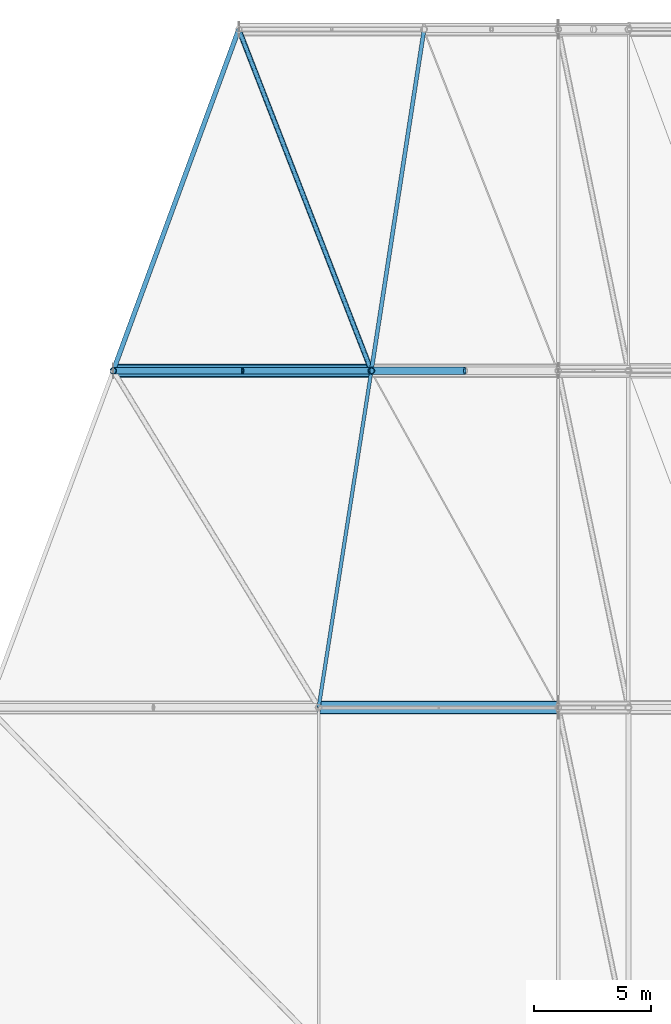
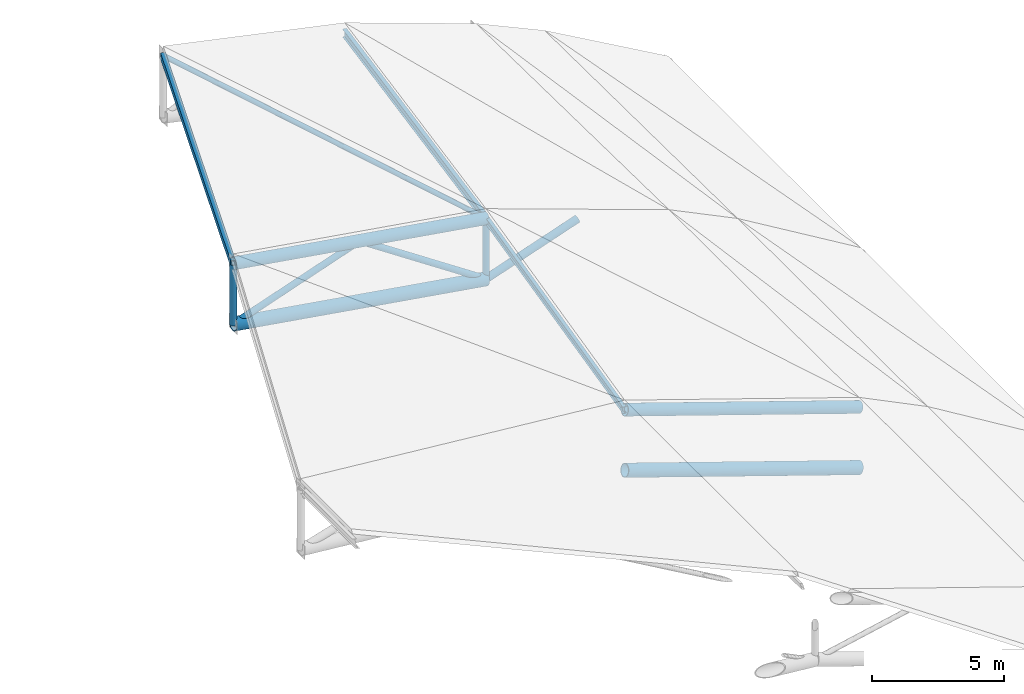
# One storey, part 21 of 36: 13 members.
"""IFC4 building model written with IfcOpenShell, lengths in metres."""

from ifc_helpers import new_model, si_unit, direction, frame, origin, origin_2d, place, context, subcontext, project, spatial, hollow_rectangle, hollow_circle, i_section, extrude, material, material_profile, profile_set, type_object, element, save


model = new_model("IFC4")

# Units and contexts
model_context = context("Model", 3, precision=1e-05, world=origin(), true_north=direction((0.0, 1.0)))
body_context = subcontext(model_context, "Body", "Model", "MODEL_VIEW")
ifc_project = project(units=[si_unit("LENGTHUNIT", "METRE"), si_unit("AREAUNIT", "SQUARE_METRE"), si_unit("VOLUMEUNIT", "CUBIC_METRE"), si_unit("PLANEANGLEUNIT", "RADIAN"), si_unit("MASSUNIT", "GRAM", prefix="KILO")], contexts=[model_context])

# Site, building, storey
site_placement = place(None, origin())
site = spatial("IfcSite", under=ifc_project, at=site_placement, CompositionType="ELEMENT")
building_placement = place(site_placement, origin())
building = spatial("IfcBuilding", under=site, at=building_placement, Name="Koshinbarg Plaza Stadium", CompositionType="ELEMENT")
storey_placement = place(building_placement, frame((0.0, 0.0, 34.199951171875)))
storey = spatial("IfcBuildingStorey", under=building, at=storey_placement, Name="RF", CompositionType="ELEMENT", Elevation=34.199951171875)

# Members
ifc_material = material(Name="Steel S355", Category="steel")
ifc_material_profile_1 = material_profile(ifc_material, hollow_circle(Radius=0.279541015625, WallThickness=0.022216796875, at=origin_2d()), Name="CHS 559x22.2")
ifc_profile_set_1 = profile_set([ifc_material_profile_1], Name="Steel S355")
member_type_1 = type_object("IfcMemberType", Name="MB-ARCH-BOT", PredefinedType="CHORD", material=ifc_profile_set_1)
member_1_placement = place(storey_placement, frame((189.39990234375, 97.5, -0.0400390625), z_axis=(-0.947427718422, 0.0, 0.319969871027), x_axis=(0.0, -1.0, 0.0)))
element("IfcMember", 1, at=member_1_placement, inside=storey, type_object=member_type_1, Name="Quarter-barrel roof truss bottom chord ERB-06-3", PredefinedType="CHORD", context=body_context, shape_type="SweptSolid", body=[
    extrude(hollow_circle(Radius=0.279541015625, WallThickness=0.022216796875, at=origin_2d()), origin(), (0.0, 0.0, 1.0), 10.81640625),
])
member_2_placement = place(storey_placement, frame((181.406494140625, 111.89990234375, 2.7421875), z_axis=(-0.987287695583, 0.0, 0.158943405497), x_axis=(0.0, -1.0, 0.0)))
element("IfcMember", 2, at=member_2_placement, inside=storey, type_object=member_type_1, Name="Quarter-barrel roof truss bottom chord ERB-07-4", PredefinedType="CHORD", context=body_context, shape_type="SweptSolid", body=[
    extrude(hollow_circle(Radius=0.279541015625, WallThickness=0.022216796875, at=origin_2d()), origin(), (0.0, 0.0, 1.0), 11.1806640625),
])
ifc_material_profile_2 = material_profile(ifc_material, hollow_circle(Radius=0.25390625, WallThickness=0.02001953125, at=origin_2d()), Name="CHS 508x20")
ifc_profile_set_2 = profile_set([ifc_material_profile_2], Name="Steel S355")
member_type_2 = type_object("IfcMemberType", Name="MB-ARCH-TOP", PredefinedType="CHORD", material=ifc_profile_set_2)
member_3_placement = place(storey_placement, frame((189.39990234375, 97.5, 2.760009765625), z_axis=(-0.947427718422, 0.0, 0.319969871027), x_axis=(0.0, -1.0, 0.0)))
element("IfcMember", 3, at=member_3_placement, inside=storey, type_object=member_type_2, Name="Quarter-barrel roof truss top chord ERB-06-3", PredefinedType="CHORD", context=body_context, shape_type="SweptSolid", body=[
    extrude(hollow_circle(Radius=0.25390625, WallThickness=0.02001953125, at=origin_2d()), origin(), (0.0, 0.0, 1.0), 10.81640625),
])
member_4_placement = place(storey_placement, frame((181.406494140625, 111.89990234375, 5.542236328125), z_axis=(-0.987287695583, 0.0, 0.158943405497), x_axis=(0.0, -1.0, 0.0)))
element("IfcMember", 4, at=member_4_placement, inside=storey, type_object=member_type_2, Name="Quarter-barrel roof truss top chord ERB-07-4", PredefinedType="CHORD", context=body_context, shape_type="SweptSolid", body=[
    extrude(hollow_circle(Radius=0.25390625, WallThickness=0.02001953125, at=origin_2d()), origin(), (0.0, 0.0, 1.0), 11.1806640625),
])
ifc_material_profile_3 = material_profile(ifc_material, hollow_circle(Radius=0.161865234375, WallThickness=0.01416015625, at=origin_2d()), Name="CHS 323.9x14.2")
ifc_profile_set_3 = profile_set([ifc_material_profile_3], Name="Steel S355")
member_type_3 = type_object("IfcMemberType", Name="MB-BRACE-01", PredefinedType="BRACE", material=ifc_profile_set_3)
member_5_placement = place(storey_placement, frame((185.4033203125, 111.89990234375, 4.11962890625), z_axis=(-0.945429428908, 0.0, -0.325826940193), x_axis=(0.0, -1.0, 0.0)))
element("IfcMember", 5, at=member_5_placement, inside=storey, type_object=member_type_3, Name="Quarter-barrel roof truss web diagonal ERB-07-3B", PredefinedType="BRACE", context=body_context, shape_type="SweptSolid", body=[
    extrude(hollow_circle(Radius=0.161865234375, WallThickness=0.01416015625, at=origin_2d()), origin(), (0.0, 0.0, 1.0), 4.2275390625),
])
ifc_material_profile_4 = material_profile(ifc_material, hollow_circle(Radius=0.136474609375, WallThickness=0.012451171875, at=origin_2d()), Name="CHS 273x12.5")
ifc_profile_set_4 = profile_set([ifc_material_profile_4], Name="Steel S355")
member_type_4 = type_object("IfcMemberType", Name="MB-BRACE-02", PredefinedType="BRACE", material=ifc_profile_set_4)
member_6_placement = place(storey_placement, frame((181.406494140625, 111.89990234375, 2.7421875), z_axis=(-0.831427383293, 0.0, 0.555633428), x_axis=(0.0, -1.0, 0.0)))
element("IfcMember", 6, at=member_6_placement, inside=storey, type_object=member_type_4, Name="Quarter-barrel roof truss web diagonal ERB-07-4A", PredefinedType="BRACE", context=body_context, shape_type="SweptSolid", body=[
    extrude(hollow_circle(Radius=0.136474609375, WallThickness=0.012451171875, at=origin_2d()), origin(), (0.0, 0.0, 1.0), 6.638427734375),
])
member_7_placement = place(storey_placement, frame((175.88720703125, 111.89990234375, 6.4306640625), z_axis=(-0.944940842416, 0.0, -0.327241202073), x_axis=(0.0, -1.0, 0.0)))
element("IfcMember", 7, at=member_7_placement, inside=storey, type_object=member_type_4, Name="Quarter-barrel roof truss web diagonal ERB-07-4B", PredefinedType="BRACE", context=body_context, shape_type="SweptSolid", body=[
    extrude(hollow_circle(Radius=0.136474609375, WallThickness=0.012451171875, at=origin_2d()), origin(), (0.0, 0.0, 1.0), 5.8408203125),
])
for number, where, z_axis, x_axis, name in (
    (8, (181.406494140625, 111.89990234375, 2.7421875), (0.0, 0.0, 1.0), (1.0, 0.0, 0.0), "Quarter-barrel roof truss post ERB-07-4"),
    (9, (170.367919921875, 111.89990234375, 4.519287109375), (0.0, 0.0, 1.0), (1.0, 0.0, 0.0), "Quarter-barrel roof truss post ERB-07-5"),
):
    element("IfcMember", number, at=place(storey_placement, frame(where, z_axis=z_axis, x_axis=x_axis)), inside=storey, type_object=member_type_4, Name=name, PredefinedType="BRACE", context=body_context, shape_type="SweptSolid", body=[
        extrude(hollow_circle(Radius=0.136474609375, WallThickness=0.012451171875, at=origin_2d()), origin(), (0.0, 0.0, 1.0), 2.800048828125),
    ])
ifc_material_profile_5 = material_profile(ifc_material, hollow_circle(Radius=0.109619140625, WallThickness=0.010009765625, at=origin_2d()), Name="CHS 219.1x10")
ifc_profile_set_5 = profile_set([ifc_material_profile_5], Name="Steel S355")
member_type_5 = type_object("IfcMemberType", Name="MB-BRACE-03", PredefinedType="BRACE", material=ifc_profile_set_5)
member_8_placement = place(storey_placement, frame((181.406494140625, 111.89990234375, 5.542236328125), z_axis=(-0.361729138383, 0.931375438456, 0.04113177708), x_axis=(-0.932164300793, -0.362035518047, 0.0)))
element("IfcMember", 10, at=member_8_placement, inside=storey, type_object=member_type_5, Name="Roof plan wind brace east bay 7.4", PredefinedType="BRACE", context=body_context, shape_type="SweptSolid", body=[
    extrude(hollow_circle(Radius=0.109619140625, WallThickness=0.010009765625, at=origin_2d()), origin(), (0.0, 0.0, 1.0), 15.67578125),
])
ifc_material_profile_6 = material_profile(ifc_material, hollow_rectangle(XDim=0.199951171875, YDim=0.300048828125, WallThickness=0.012451171875, at=origin_2d()), Name="RHS 300x200x12.5")
ifc_profile_set_6 = profile_set([ifc_material_profile_6], Name="Steel S355")
member_type_6 = type_object("IfcMemberType", Name="MB-PURL-01", PredefinedType="PURLIN", material=ifc_profile_set_6)
member_9_placement = place(storey_placement, frame((170.367919921875, 111.89990234375, 7.29931640625), z_axis=(0.344182250246, 0.936091819594, -0.072599475925), x_axis=(-0.938568536443, 0.345092889524, 0.0)))
element("IfcMember", 11, at=member_9_placement, inside=storey, type_object=member_type_6, Name="Roof longitudinal purlin east bay 7.5", PredefinedType="PURLIN", context=body_context, shape_type="SweptSolid", body=[
    extrude(hollow_rectangle(XDim=0.199951171875, YDim=0.300048828125, WallThickness=0.012451171875, at=origin_2d()), origin(), (0.0, 0.0, 1.0), 15.596923828125),
])
ifc_material_profile_7 = material_profile(ifc_material, i_section(OverallWidth=0.14990234375, OverallDepth=0.300048828125, WebThickness=0.007080078125, FlangeThickness=0.0107421875, at=origin_2d()), Name="IPE 300")
ifc_profile_set_7 = profile_set([ifc_material_profile_7], Name="Steel S355")
member_type_7 = type_object("IfcMemberType", Name="MB-PURL-04", PredefinedType="PURLIN", material=ifc_profile_set_7)
member_10_placement = place(storey_placement, frame((179.152099609375, 97.5, 6.200927734375), z_axis=(0.154504793588, 0.986896440913, -0.046515413274), x_axis=(-0.987965842469, 0.154672215072, 0.0)))
element("IfcMember", 12, at=member_10_placement, inside=storey, type_object=member_type_7, Name="Roof longitudinal purlin east bay 6.4", PredefinedType="PURLIN", context=body_context, shape_type="SweptSolid", body=[
    extrude(i_section(OverallWidth=0.14990234375, OverallDepth=0.300048828125, WebThickness=0.007080078125, FlangeThickness=0.0107421875, at=origin_2d()), origin(), (0.0, 0.0, 1.0), 14.591064453125),
])
ifc_material_profile_8 = material_profile(ifc_material, i_section(OverallWidth=0.169921875, OverallDepth=0.360107421875, WebThickness=0.008056640625, FlangeThickness=0.0126953125, at=origin_2d()), Name="IPE 360")
ifc_profile_set_8 = profile_set([ifc_material_profile_8], Name="Steel S355")
member_type_8 = type_object("IfcMemberType", Name="MB-PURL-05", PredefinedType="PURLIN", material=ifc_profile_set_8)
member_11_placement = place(storey_placement, frame((181.406494140625, 111.89990234375, 5.522216796875), z_axis=(0.152232807177, 0.985796029757, -0.070932081135), x_axis=(-0.988285374721, 0.152617227443, 0.0)))
element("IfcMember", 13, at=member_11_placement, inside=storey, type_object=member_type_8, Name="Roof longitudinal purlin east bay 7.4", PredefinedType="PURLIN", context=body_context, shape_type="SweptSolid", body=[
    extrude(i_section(OverallWidth=0.169921875, OverallDepth=0.360107421875, WebThickness=0.008056640625, FlangeThickness=0.0126953125, at=origin_2d()), origin(), (0.0, 0.0, 1.0), 14.810546875),
])

save(model, "model.ifc")
